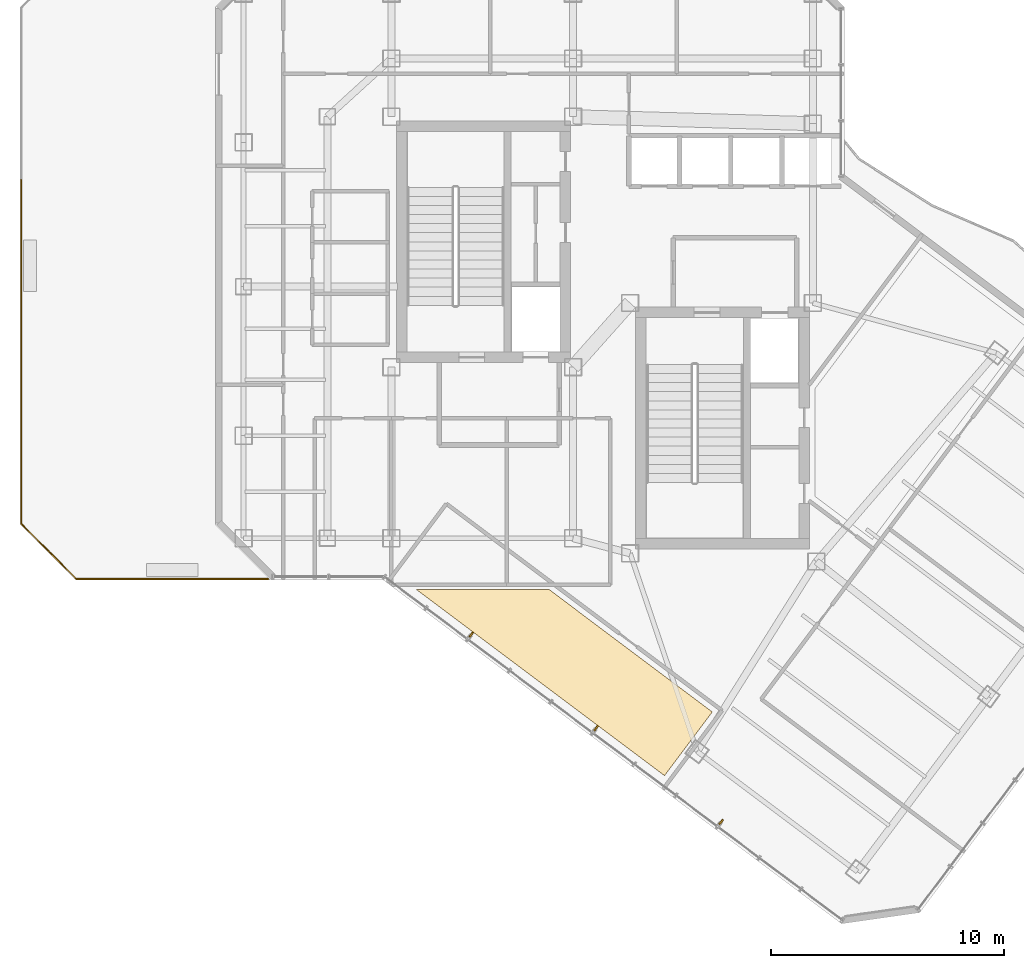
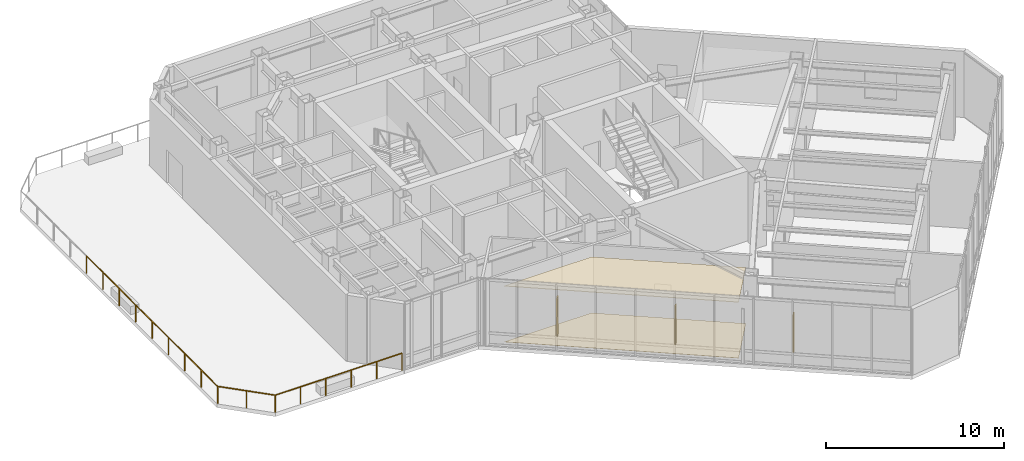
# One storey, part 19 of 21: 15 railings, 3 shading devices, 2 coverings.
"""IFC4 building model written with IfcOpenShell, lengths in metres."""

from ifc_helpers import new_model, si_unit, direction, frame, origin, origin_2d, place, context, subcontext, project, spatial, polyline, rectangle, circle, outline, extrude, material, layer, layer_set, type_object, element, save


model = new_model("IFC4")

# Units and contexts
model_context = context("Model", 3, precision=1e-05, world=origin(), true_north=direction((0.0, 1.0)))
body_context = subcontext(model_context, "Body", "Model", "MODEL_VIEW")
ifc_project = project(units=[si_unit("LENGTHUNIT", "METRE"), si_unit("AREAUNIT", "SQUARE_METRE"), si_unit("VOLUMEUNIT", "CUBIC_METRE"), si_unit("PLANEANGLEUNIT", "RADIAN"), si_unit("MASSUNIT", "GRAM", prefix="KILO")], contexts=[model_context])

# Site, building, storey
site_placement = place(None, origin())
site = spatial("IfcSite", under=ifc_project, at=site_placement, CompositionType="ELEMENT")
building_placement = place(site_placement, origin())
building = spatial("IfcBuilding", under=site, at=building_placement, Name="Hatsunagi Terrace Concourse", CompositionType="ELEMENT")
storey_placement = place(building_placement, frame((0.0, 0.0, 186.75)))
storey = spatial("IfcBuildingStorey", under=building, at=storey_placement, Name="L49", CompositionType="ELEMENT", Elevation=186.75)

# Covering
ifc_material_1 = material(Name="Hardwood timber", Category="wood")
ifc_layer_1 = layer(ifc_material_1, 0.014892578125)
ifc_layer_set_1 = layer_set([ifc_layer_1], Name="HardwoodTimberFlooring_15")
covering_type_1 = type_object("IfcCoveringType", Name="HardwoodTimberFlooring_15", PredefinedType="FLOORING", material=ifc_layer_set_1)
covering_1_placement = place(storey_placement, origin())
element("IfcCovering", 1, at=covering_1_placement, inside=storey, type_object=covering_type_1, Name="Finished Flooring L49-2", PredefinedType="FLOORING", context=body_context, shape_type="SweptSolid", body=[
    extrude(outline(polyline([(26.626953125, 22.991943359375), (37.278076171875, 15.00390625), (39.330078125, 17.739990234375), (32.327880859375, 22.991943359375), (26.626953125, 22.991943359375)])), origin(), (0.0, 0.0, 1.0), 0.014892578125),
])

# Railings
ifc_material_2 = material(Name="Stainless Steel SUS316 Post-and-Rail Guard", Category="steel")
ifc_layer_2 = layer(ifc_material_2, 0.080078125)
ifc_layer_set_2 = layer_set([ifc_layer_2], Name="TerracePlantedGuardRail_1200")
railing_type = type_object("IfcRailingType", Name="TerracePlantedGuardRail_1200", PredefinedType="GUARDRAIL", material=ifc_layer_set_2)
railing_1_placement = place(storey_placement, frame((20.261962890625, 23.449951171875, 0.010009765625)))
element("IfcRailing", 2, at=railing_1_placement, inside=storey, type_object=railing_type, Name="Sky Garden Guardrail GRD-02 TER-L49-1-1 #1", PredefinedType="GUARDRAIL", context=body_context, shape_type="SweptSolid", body=[
    extrude(circle(Radius=0.02392578125, at=origin_2d()), frame((0.0, 0.0, 1.17578125), z_axis=(-1.0, 0.0, 0.0), x_axis=(0.0, -1.0, 0.0)), (0.0, 0.0, 1.0), 1.64404296875),
    extrude(circle(Radius=0.02099609375, at=origin_2d()), origin(), (0.0, 0.0, 1.0), 1.15185546875),
    extrude(circle(Radius=0.02099609375, at=origin_2d()), frame((-1.64404296875, 0.0, 0.0)), (0.0, 0.0, 1.0), 1.15185546875),
])
railing_2_placement = place(storey_placement, frame((18.610107421875, 23.449951171875, 0.010009765625)))
element("IfcRailing", 3, at=railing_2_placement, inside=storey, type_object=railing_type, Name="Sky Garden Guardrail GRD-02 TER-L49-1-1 #2", PredefinedType="GUARDRAIL", context=body_context, shape_type="SweptSolid", body=[
    extrude(circle(Radius=0.02392578125, at=origin_2d()), frame((0.0, 0.0, 1.17578125), z_axis=(-1.0, 0.0, 0.0), x_axis=(0.0, -1.0, 0.0)), (0.0, 0.0, 1.0), 1.64013671875),
    extrude(circle(Radius=0.02099609375, at=origin_2d()), origin(), (0.0, 0.0, 1.0), 1.15185546875),
    extrude(circle(Radius=0.02099609375, at=origin_2d()), frame((-1.64013671875, 0.0, 0.0)), (0.0, 0.0, 1.0), 1.15185546875),
])
railing_3_placement = place(storey_placement, frame((16.9619140625, 23.449951171875, 0.010009765625)))
element("IfcRailing", 4, at=railing_3_placement, inside=storey, type_object=railing_type, Name="Sky Garden Guardrail GRD-02 TER-L49-1-1 #3", PredefinedType="GUARDRAIL", context=body_context, shape_type="SweptSolid", body=[
    extrude(circle(Radius=0.02392578125, at=origin_2d()), frame((0.0, 0.0, 1.17578125), z_axis=(-1.0, 0.0, 0.0), x_axis=(0.0, -1.0, 0.0)), (0.0, 0.0, 1.0), 1.640869140625),
    extrude(circle(Radius=0.02099609375, at=origin_2d()), origin(), (0.0, 0.0, 1.0), 1.15185546875),
    extrude(circle(Radius=0.02099609375, at=origin_2d()), frame((-1.640869140625, 0.0, 0.0)), (0.0, 0.0, 1.0), 1.15185546875),
])
railing_4_placement = place(storey_placement, frame((15.31298828125, 23.449951171875, 0.010009765625)))
element("IfcRailing", 5, at=railing_4_placement, inside=storey, type_object=railing_type, Name="Sky Garden Guardrail GRD-02 TER-L49-1-1 #4", PredefinedType="GUARDRAIL", context=body_context, shape_type="SweptSolid", body=[
    extrude(circle(Radius=0.02392578125, at=origin_2d()), frame((0.0, 0.0, 1.17578125), z_axis=(-1.0, 0.0, 0.0), x_axis=(0.0, -1.0, 0.0)), (0.0, 0.0, 1.0), 1.639892578125),
    extrude(circle(Radius=0.02099609375, at=origin_2d()), origin(), (0.0, 0.0, 1.0), 1.15185546875),
    extrude(circle(Radius=0.02099609375, at=origin_2d()), frame((-1.639892578125, 0.0, 0.0)), (0.0, 0.0, 1.0), 1.15185546875),
])
railing_5_placement = place(storey_placement, frame((13.6650390625, 23.449951171875, 0.010009765625)))
element("IfcRailing", 6, at=railing_5_placement, inside=storey, type_object=railing_type, Name="Sky Garden Guardrail GRD-02 TER-L49-1-1 #5", PredefinedType="GUARDRAIL", context=body_context, shape_type="SweptSolid", body=[
    extrude(circle(Radius=0.02392578125, at=origin_2d()), frame((0.0, 0.0, 1.17578125), z_axis=(-1.0, 0.0, 0.0), x_axis=(0.0, -1.0, 0.0)), (0.0, 0.0, 1.0), 1.64404296875),
    extrude(circle(Radius=0.02099609375, at=origin_2d()), origin(), (0.0, 0.0, 1.0), 1.15185546875),
    extrude(circle(Radius=0.02099609375, at=origin_2d()), frame((-1.64404296875, 0.0, 0.0)), (0.0, 0.0, 1.0), 1.15185546875),
])
for number, where, name in (
    (7, (12.02099609375, 23.449951171875, 0.010009765625), "Sky Garden Guardrail GRD-02 TER-L49-1-1 #6"),
    (8, (10.8330078125, 24.637939453125, 0.010009765625), "Sky Garden Guardrail GRD-02 TER-L49-1-1 #7"),
):
    element("IfcRailing", number, at=place(storey_placement, frame(where)), inside=storey, type_object=railing_type, Name=name, PredefinedType="GUARDRAIL", context=body_context, shape_type="SweptSolid", body=[
        extrude(circle(Radius=0.02392578125, at=origin_2d()), frame((0.0, 0.0, 1.17578125), z_axis=(-0.707106781187, 0.707106781187, 0.0), x_axis=(-0.707106781187, -0.707106781187, 0.0)), (0.0, 0.0, 1.0), 1.673095703125),
        extrude(circle(Radius=0.02099609375, at=origin_2d()), origin(), (0.0, 0.0, 1.0), 1.15185546875),
        extrude(circle(Radius=0.02099609375, at=origin_2d()), frame((-1.18310546875, 1.18310546875, 0.0)), (0.0, 0.0, 1.0), 1.15185546875),
    ])
railing_6_placement = place(storey_placement, frame((9.64990234375, 25.821044921875, 0.010009765625)))
element("IfcRailing", 9, at=railing_6_placement, inside=storey, type_object=railing_type, Name="Sky Garden Guardrail GRD-02 TER-L49-1-1 #8", PredefinedType="GUARDRAIL", context=body_context, shape_type="SweptSolid", body=[
    extrude(circle(Radius=0.02392578125, at=origin_2d()), frame((0.0, 0.0, 1.17578125), z_axis=(0.0, 1.0, 0.0), x_axis=(-1.0, 0.0, 0.0)), (0.0, 0.0, 1.0), 1.843017578125),
    extrude(circle(Radius=0.02099609375, at=origin_2d()), origin(), (0.0, 0.0, 1.0), 1.15185546875),
    extrude(circle(Radius=0.02099609375, at=origin_2d()), frame((0.0, 1.843017578125, 0.0)), (0.0, 0.0, 1.0), 1.15185546875),
])
railing_7_placement = place(storey_placement, frame((9.64990234375, 27.672119140625, 0.010009765625)))
element("IfcRailing", 10, at=railing_7_placement, inside=storey, type_object=railing_type, Name="Sky Garden Guardrail GRD-02 TER-L49-1-1 #9", PredefinedType="GUARDRAIL", context=body_context, shape_type="SweptSolid", body=[
    extrude(circle(Radius=0.02392578125, at=origin_2d()), frame((0.0, 0.0, 1.17578125), z_axis=(0.0, 1.0, 0.0), x_axis=(-1.0, 0.0, 0.0)), (0.0, 0.0, 1.0), 1.837890625),
    extrude(circle(Radius=0.02099609375, at=origin_2d()), origin(), (0.0, 0.0, 1.0), 1.15185546875),
    extrude(circle(Radius=0.02099609375, at=origin_2d()), frame((0.0, 1.837890625, 0.0)), (0.0, 0.0, 1.0), 1.15185546875),
])
for number, where, name in (
    (11, (9.64990234375, 29.51806640625, 0.010009765625), "Sky Garden Guardrail GRD-02 TER-L49-1-1 #10"),
    (12, (9.64990234375, 31.364013671875, 0.010009765625), "Sky Garden Guardrail GRD-02 TER-L49-1-1 #11"),
):
    element("IfcRailing", number, at=place(storey_placement, frame(where)), inside=storey, type_object=railing_type, Name=name, PredefinedType="GUARDRAIL", context=body_context, shape_type="SweptSolid", body=[
        extrude(circle(Radius=0.02392578125, at=origin_2d()), frame((0.0, 0.0, 1.17578125), z_axis=(0.0, 1.0, 0.0), x_axis=(-1.0, 0.0, 0.0)), (0.0, 0.0, 1.0), 1.8388671875),
        extrude(circle(Radius=0.02099609375, at=origin_2d()), origin(), (0.0, 0.0, 1.0), 1.15185546875),
        extrude(circle(Radius=0.02099609375, at=origin_2d()), frame((0.0, 1.8388671875, 0.0)), (0.0, 0.0, 1.0), 1.15185546875),
    ])
railing_8_placement = place(storey_placement, frame((9.64990234375, 33.2109375, 0.010009765625)))
element("IfcRailing", 13, at=railing_8_placement, inside=storey, type_object=railing_type, Name="Sky Garden Guardrail GRD-02 TER-L49-1-1 #12", PredefinedType="GUARDRAIL", context=body_context, shape_type="SweptSolid", body=[
    extrude(circle(Radius=0.02392578125, at=origin_2d()), frame((0.0, 0.0, 1.17578125), z_axis=(0.0, 1.0, 0.0), x_axis=(-1.0, 0.0, 0.0)), (0.0, 0.0, 1.0), 1.839111328125),
    extrude(circle(Radius=0.02099609375, at=origin_2d()), origin(), (0.0, 0.0, 1.0), 1.15185546875),
    extrude(circle(Radius=0.02099609375, at=origin_2d()), frame((0.0, 1.839111328125, 0.0)), (0.0, 0.0, 1.0), 1.15185546875),
])
for number, where, name in (
    (14, (9.64990234375, 35.05810546875, 0.010009765625), "Sky Garden Guardrail GRD-02 TER-L49-1-1 #13"),
    (15, (9.64990234375, 36.904052734375, 0.010009765625), "Sky Garden Guardrail GRD-02 TER-L49-1-1 #14"),
):
    element("IfcRailing", number, at=place(storey_placement, frame(where)), inside=storey, type_object=railing_type, Name=name, PredefinedType="GUARDRAIL", context=body_context, shape_type="SweptSolid", body=[
        extrude(circle(Radius=0.02392578125, at=origin_2d()), frame((0.0, 0.0, 1.17578125), z_axis=(0.0, 1.0, 0.0), x_axis=(-1.0, 0.0, 0.0)), (0.0, 0.0, 1.0), 1.837890625),
        extrude(circle(Radius=0.02099609375, at=origin_2d()), origin(), (0.0, 0.0, 1.0), 1.15185546875),
        extrude(circle(Radius=0.02099609375, at=origin_2d()), frame((0.0, 1.837890625, 0.0)), (0.0, 0.0, 1.0), 1.15185546875),
    ])
railing_9_placement = place(storey_placement, frame((9.64990234375, 38.7509765625, 0.010009765625)))
element("IfcRailing", 16, at=railing_9_placement, inside=storey, type_object=railing_type, Name="Sky Garden Guardrail GRD-02 TER-L49-1-1 #15", PredefinedType="GUARDRAIL", context=body_context, shape_type="SweptSolid", body=[
    extrude(circle(Radius=0.02392578125, at=origin_2d()), frame((0.0, 0.0, 1.17578125), z_axis=(0.0, 1.0, 0.0), x_axis=(-1.0, 0.0, 0.0)), (0.0, 0.0, 1.0), 1.838134765625),
    extrude(circle(Radius=0.02099609375, at=origin_2d()), origin(), (0.0, 0.0, 1.0), 1.15185546875),
    extrude(circle(Radius=0.02099609375, at=origin_2d()), frame((0.0, 1.838134765625, 0.0)), (0.0, 0.0, 1.0), 1.15185546875),
])

# Shading devices
ifc_material_3 = material(Name="Extruded Unglazed Terracotta Baguette", Category="masonry")
shading_device_type = type_object("IfcShadingDeviceType", Name="TerracottaFinScreen_260x70", PredefinedType="USERDEFINED", material=ifc_material_3)
for number, where, z_axis, x_axis, name in (
    (17, (39.702880859375, 13.010986328125, 0.849853515625), (0.0, 0.0, 1.0), (-0.800005211305, 0.599993051531, 0.0), "Terracotta Baguette Fin Screen SCR-01"),
    (18, (34.337890625, 17.033935546875, 0.849853515625), (0.0, 0.0, 1.0), (-0.800005211305, 0.599993051531, 0.0), "Terracotta Baguette Fin Screen SCR-01"),
    (19, (28.97412109375, 21.05810546875, 0.849853515625), (0.0, 0.0, 1.0), (-0.800005211305, 0.599993051531, 0.0), "Terracotta Baguette Fin Screen SCR-01"),
):
    element("IfcShadingDevice", number, at=place(storey_placement, frame(where, z_axis=z_axis, x_axis=x_axis)), inside=storey, type_object=shading_device_type, Name=name, ObjectType="SUNSHADE", PredefinedType="USERDEFINED", context=body_context, shape_type="SweptSolid", body=[
        extrude(rectangle(XDim=0.070068359375, YDim=0.260009765625, at=origin_2d()), origin(), (0.0, 0.0, 1.0), 2.60009765625),
    ])

# Covering
ifc_material_4 = material(Name="Hardwood timber", Category="wood")
ifc_layer_3 = layer(ifc_material_4, 0.034912109375)
ifc_layer_set_3 = layer_set([ifc_layer_3], Name="TimberBaffleCeiling_35")
covering_type_2 = type_object("IfcCoveringType", Name="TimberBaffleCeiling_35", PredefinedType="CEILING", material=ifc_layer_set_3)
covering_2_placement = place(storey_placement, frame((0.0, 0.0, 3.830078125)))
element("IfcCovering", 20, at=covering_2_placement, inside=storey, type_object=covering_type_2, Name="Suspended Ceiling L49-2", PredefinedType="CEILING", context=body_context, shape_type="SweptSolid", body=[
    extrude(outline(polyline([(26.626953125, 22.991943359375), (37.278076171875, 15.00390625), (39.330078125, 17.739990234375), (32.327880859375, 22.991943359375), (26.626953125, 22.991943359375)])), origin(), (0.0, 0.0, 1.0), 0.034912109375),
])

save(model, "model.ifc")
